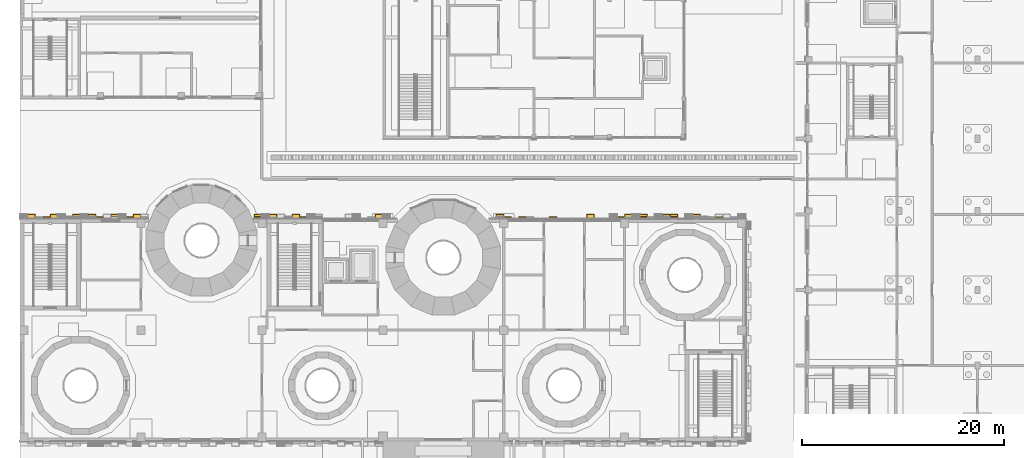
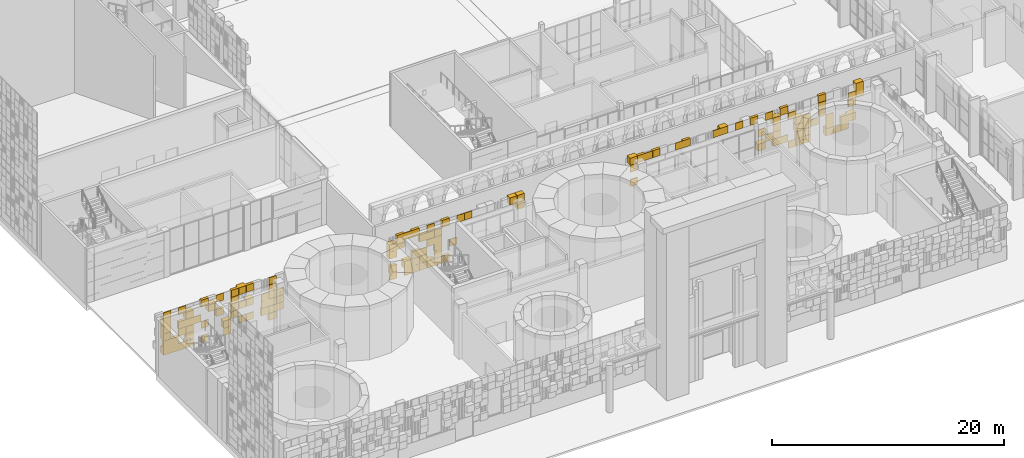
# One storey, part 84 of 125: 2 coverings.
"""IFC4 building model written with IfcOpenShell, lengths in metres."""

import ifcopenshell
import ifcopenshell.guid

model = None  # the IFC model being written
_history = None  # IfcOwnerHistory: only IFC2X3 demands one
_inside = {}  # id of a spatial element -> (the spatial element, [elements in it])
_under = {}  # id of a project, library or spatial element -> (it, [spatial elements below it])
_declared = {}  # id of a project -> (the project, [libraries it declares])
_typed = {}  # id of a type object -> (the type object, [elements of that type])
_made_of = {}  # id of a material, layer set ... -> (it, [elements and type objects made of it])


def new_model(schema):
    """Start an empty IFC model of exactly this schema.

    Asked for "IFC4X3", IfcOpenShell would pick the latest addendum, in which some entities
    have other attributes; the version numbers below select the first issue.
    IFC2X3 requires an IfcOwnerHistory on every rooted entity: one is made here for all.
    """
    global model, _history
    if schema == "IFC4X3":
        model = ifcopenshell.file(schema_version=(4, 3, 0, 0))
    else:
        model = ifcopenshell.file(schema=schema)
    _inside.clear()
    _under.clear()
    _declared.clear()
    _typed.clear()
    _made_of.clear()
    _history = None
    if model.schema == "IFC2X3":
        org = make("IfcOrganization", Name="unknown")
        user = make(
            "IfcPersonAndOrganization",
            ThePerson=make("IfcPerson", FamilyName="unknown"),
            TheOrganization=org,
        )
        app = make(
            "IfcApplication",
            ApplicationDeveloper=org,
            Version="unknown",
            ApplicationFullName="unknown",
            ApplicationIdentifier="unknown",
        )
        _history = make(
            "IfcOwnerHistory",
            OwningUser=user,
            OwningApplication=app,
            ChangeAction="ADDED",
            CreationDate=0,
        )
    return model


def make(cls, **values):
    """One entity of the class cls with the attributes given. An attribute that is None is left unset."""
    return model.create_entity(
        cls, **{name: value for name, value in values.items() if value is not None}
    )


def rooted(cls, **values):
    """An entity with a GlobalId (a new one), such as an element, a storey or a relation."""
    return make(cls, GlobalId=ifcopenshell.guid.new(), OwnerHistory=_history, **values)


def si_unit(unit_type, name, prefix=None):
    """IfcSIUnit, for example si_unit("LENGTHUNIT", "METRE", prefix="MILLI")."""
    return make("IfcSIUnit", UnitType=unit_type, Prefix=prefix, Name=name)


def assignment(units):
    """IfcUnitAssignment: the units of a project."""
    return None if units is None else make("IfcUnitAssignment", Units=units)


def point(xyz):
    """IfcCartesianPoint."""
    return None if xyz is None else make("IfcCartesianPoint", Coordinates=xyz)


def direction(xyz):
    """IfcDirection."""
    return None if xyz is None else make("IfcDirection", DirectionRatios=xyz)


def frame(location, z_axis=None, x_axis=None):
    """IfcAxis2Placement3D, a coordinate frame: its origin and axes. An axis left out is left unset."""
    return make(
        "IfcAxis2Placement3D",
        Location=point(location),
        Axis=direction(z_axis),
        RefDirection=direction(x_axis),
    )


def frame_2d(location, x_axis=None):
    """IfcAxis2Placement2D, a coordinate frame in the plane: its origin and x axis."""
    return make(
        "IfcAxis2Placement2D", Location=point(location), RefDirection=direction(x_axis)
    )


def origin():
    """The frame at (0, 0, 0) with its axes left unset."""
    return frame((0.0, 0.0, 0.0))


def origin_2d():
    """The frame at (0, 0) in the plane with its x axis left unset."""
    return frame_2d((0.0, 0.0))


def place(relative_to, where):
    """IfcLocalPlacement: puts the frame where relative to a parent placement (None: the world)."""
    return make(
        "IfcLocalPlacement", PlacementRelTo=relative_to, RelativePlacement=where
    )


def context(
    kind, dimensions, precision=None, world=None, true_north=None, identifier=None
):
    """IfcGeometricRepresentationContext, for example the 3D "Model" context."""
    return make(
        "IfcGeometricRepresentationContext",
        ContextIdentifier=identifier,
        ContextType=kind,
        CoordinateSpaceDimension=dimensions,
        Precision=precision,
        WorldCoordinateSystem=world,
        TrueNorth=true_north,
    )


def subcontext(parent, identifier, kind, view, scale=None):
    """IfcGeometricRepresentationSubContext, for example "Body" below "Model"."""
    return make(
        "IfcGeometricRepresentationSubContext",
        ContextIdentifier=identifier,
        ContextType=kind,
        ParentContext=parent,
        TargetScale=scale,
        TargetView=view,
    )


def project(units=None, contexts=None):
    """IfcProject with its units and contexts."""
    return rooted(
        "IfcProject",
        Name="project",
        RepresentationContexts=contexts,
        UnitsInContext=assignment(units),
    )


def spatial(cls, under=None, at=None, **own):
    """A site, building, storey or space (cls), placed at a placement, below another one or the project."""
    s = rooted(cls, ObjectPlacement=at, **own)
    if under is not None:
        _under.setdefault(under.id(), (under, []))[1].append(s)
    return s


def profile(cls, at=None, kind="AREA", **sizes):
    """A parametric profile (cls). Its sizes go by their IFC names, for example OverallWidth=200.0."""
    return make(cls, ProfileType=kind, Position=at, **sizes)


def rectangle(**sizes):
    """IfcRectangleProfileDef."""
    return profile("IfcRectangleProfileDef", **sizes)


def extrude(swept, where, along, depth):
    """IfcExtrudedAreaSolid: the profile swept, set in the frame where, extruded along a direction by depth."""
    return make(
        "IfcExtrudedAreaSolid",
        SweptArea=swept,
        Position=where,
        ExtrudedDirection=direction(along),
        Depth=depth,
    )


def shape(context_of_items, identifier, shape_type, items):
    """IfcShapeRepresentation: the items that make up one representation, for example the "Body"."""
    return make(
        "IfcShapeRepresentation",
        ContextOfItems=context_of_items,
        RepresentationIdentifier=identifier,
        RepresentationType=shape_type,
        Items=items,
    )


def material(Name=None, Category=None):
    """IfcMaterial."""
    return make("IfcMaterial", Name=Name, Category=Category)


def layer(
    of_material, thickness, ventilated=None, Name=None, Category=None, Priority=None
):
    """IfcMaterialLayer: one layer of a wall or slab, of a material (None: an air gap)."""
    return make(
        "IfcMaterialLayer",
        Material=of_material,
        LayerThickness=thickness,
        IsVentilated=ventilated,
        Name=Name,
        Category=Category,
        Priority=Priority,
    )


def layer_set(layers, Name=None):
    """IfcMaterialLayerSet."""
    return make("IfcMaterialLayerSet", MaterialLayers=layers, LayerSetName=Name)


def made_of(thing, what):
    """Note that an element or type object is made of a material, layer set ...; save() writes the relation."""
    if what is not None:
        _made_of.setdefault(what.id(), (what, []))[1].append(thing)
    return thing


def type_object(cls, material=None, **own):
    """A type object (cls), such as IfcWallType, which elements share."""
    return made_of(rooted(cls, **own), material)


def element(
    cls,
    number,
    at=None,
    inside=None,
    cuts=None,
    type_object=None,
    material=None,
    context=None,
    identifier="Body",
    shape_type=None,
    held_by="IfcProductDefinitionShape",
    body=None,
    shapes=None,
    **own,
):
    """One element of the class cls, such as IfcWall. Its Tag is "e" and its number.

    at: its placement. inside: the storey or other place that contains it. cuts: it is an
    opening in that element (IfcRelVoidsElement). A single representation is given by context,
    identifier, shape_type and body (its items); several are given by shapes. held_by: the class
    of the entity that holds the representations. save() writes the other relations.
    """
    e = rooted(cls, Tag="e%d" % number, ObjectPlacement=at, **own)
    if body is not None:
        shapes = [shape(context, identifier, shape_type, body)]
    if shapes is not None:
        e.Representation = make(held_by, Representations=shapes)
    if inside is not None:
        _inside.setdefault(inside.id(), (inside, []))[1].append(e)
    if cuts is not None:
        rooted(
            "IfcRelVoidsElement", RelatingBuildingElement=cuts, RelatedOpeningElement=e
        )
    if type_object is not None:
        _typed.setdefault(type_object.id(), (type_object, []))[1].append(e)
    return made_of(e, material)


def aggregate(whole, parts):
    """IfcRelAggregates: a whole, such as a stair, and the parts it consists of."""
    return rooted("IfcRelAggregates", RelatingObject=whole, RelatedObjects=parts)


def save(model, path):
    """Write the relations noted so far, then the file.

    IfcRelAggregates (storeys below a building ...), IfcRelContainedInSpatialStructure (elements
    in a storey), IfcRelDefinesByType, IfcRelAssociatesMaterial and IfcRelDeclares: one each for
    every whole, place, type object, material and project.
    """
    for whole, parts in _under.values():
        aggregate(whole, parts)
    for where, things in _inside.values():
        rooted(
            "IfcRelContainedInSpatialStructure",
            RelatedElements=things,
            RelatingStructure=where,
        )
    for kind, things in _typed.values():
        rooted("IfcRelDefinesByType", RelatedObjects=things, RelatingType=kind)
    for what, things in _made_of.values():
        rooted("IfcRelAssociatesMaterial", RelatedObjects=things, RelatingMaterial=what)
    for by, libraries in _declared.values():
        rooted("IfcRelDeclares", RelatingContext=by, RelatedDefinitions=libraries)
    model.write(path)


model = new_model("IFC4")

# Units and contexts
model_context = context("Model", 3, precision=1e-05, world=origin(), true_north=direction((0.0, 1.0)))
body_context = subcontext(model_context, "Body", "Model", "MODEL_VIEW")
ifc_project = project(units=[si_unit("LENGTHUNIT", "METRE"), si_unit("AREAUNIT", "SQUARE_METRE"), si_unit("VOLUMEUNIT", "CUBIC_METRE"), si_unit("PLANEANGLEUNIT", "RADIAN"), si_unit("MASSUNIT", "GRAM", prefix="KILO")], contexts=[model_context])

# Site, building, storey
site_placement = place(None, origin())
site = spatial("IfcSite", under=ifc_project, at=site_placement, CompositionType="ELEMENT")
building_placement = place(site_placement, origin())
building = spatial("IfcBuilding", under=site, at=building_placement, Name="Sun Court Science Centre", CompositionType="ELEMENT")
storey_placement = place(building_placement, origin())
storey = spatial("IfcBuildingStorey", under=building, at=storey_placement, Name="L00", CompositionType="ELEMENT", Elevation=0.0)

# Coverings
ifc_material_1 = material(Name="Terracotta shade 1", Category="masonry")
ifc_layer_1 = layer(ifc_material_1, 0.06005859375)
ifc_layer_set_1 = layer_set([ifc_layer_1], Name="Terracotta shade 1")
covering_type_1 = type_object("IfcCoveringType", Name="Terracotta pixel panel shade 1", PredefinedType="CLADDING", material=ifc_layer_set_1)
covering_1_placement = place(storey_placement, origin())
element("IfcCovering", 1, at=covering_1_placement, inside=storey, type_object=covering_type_1, Name="Terracotta pixel cladding shade 1 north face L00", PredefinedType="CLADDING", context=body_context, shape_type="SweptSolid", body=[
    extrude(rectangle(XDim=0.739990234375, YDim=0.260009765625, at=origin_2d()), frame((1.875, 28.1298828125, 1.5048828125), z_axis=(0.0, 0.0, 1.0), x_axis=(1.0, 0.0, 0.0)), (0.0, 0.0, 1.0), 0.739990234375),
    extrude(rectangle(XDim=0.739990234375, YDim=0.06005859375, at=origin_2d()), frame((2.625, 28.030029296875, 1.5048828125), z_axis=(0.0, 0.0, 1.0), x_axis=(1.0, 0.0, 0.0)), (0.0, 0.0, 1.0), 0.739990234375),
    extrude(rectangle(XDim=0.739990234375, YDim=0.06005859375, at=origin_2d()), frame((7.125, 28.030029296875, 1.5048828125), z_axis=(0.0, 0.0, 1.0), x_axis=(1.0, 0.0, 0.0)), (0.0, 0.0, 1.0), 0.739990234375),
    extrude(rectangle(XDim=0.739990234375, YDim=0.260009765625, at=origin_2d()), frame((11.625, 28.1298828125, 1.5048828125), z_axis=(0.0, 0.0, 1.0), x_axis=(1.0, 0.0, 0.0)), (0.0, 0.0, 1.0), 0.739990234375),
    extrude(rectangle(XDim=0.739990234375, YDim=0.06005859375, at=origin_2d()), frame((25.125, 28.030029296875, 1.5048828125), z_axis=(0.0, 0.0, 1.0), x_axis=(1.0, 0.0, 0.0)), (0.0, 0.0, 1.0), 0.739990234375),
    extrude(rectangle(XDim=0.739990234375, YDim=0.260009765625, at=origin_2d()), frame((26.625, 28.1298828125, 1.5048828125), z_axis=(0.0, 0.0, 1.0), x_axis=(1.0, 0.0, 0.0)), (0.0, 0.0, 1.0), 0.739990234375),
    extrude(rectangle(XDim=0.739990234375, YDim=0.510009765625, at=origin_2d()), frame((67.125, 28.2548828125, 1.5048828125), z_axis=(0.0, 0.0, 1.0), x_axis=(1.0, 0.0, 0.0)), (0.0, 0.0, 1.0), 0.739990234375),
    extrude(rectangle(XDim=0.739990234375, YDim=0.06005859375, at=origin_2d()), frame((68.625, 28.030029296875, 1.5048828125), z_axis=(0.0, 0.0, 1.0), x_axis=(1.0, 0.0, 0.0)), (0.0, 0.0, 1.0), 0.739990234375),
    extrude(rectangle(XDim=0.739990234375, YDim=0.260009765625, at=origin_2d()), frame((1.875, 28.1298828125, 2.2548828125), z_axis=(0.0, 0.0, 1.0), x_axis=(1.0, 0.0, 0.0)), (0.0, 0.0, 1.0), 0.739990234375),
    extrude(rectangle(XDim=0.739990234375, YDim=0.260009765625, at=origin_2d()), frame((3.375, 28.1298828125, 2.2548828125), z_axis=(0.0, 0.0, 1.0), x_axis=(1.0, 0.0, 0.0)), (0.0, 0.0, 1.0), 0.739990234375),
    extrude(rectangle(XDim=0.739990234375, YDim=0.510009765625, at=origin_2d()), frame((7.125, 28.2548828125, 2.2548828125), z_axis=(0.0, 0.0, 1.0), x_axis=(1.0, 0.0, 0.0)), (0.0, 0.0, 1.0), 0.739990234375),
    extrude(rectangle(XDim=0.739990234375, YDim=0.260009765625, at=origin_2d()), frame((10.875, 28.1298828125, 2.2548828125), z_axis=(0.0, 0.0, 1.0), x_axis=(1.0, 0.0, 0.0)), (0.0, 0.0, 1.0), 0.739990234375),
    extrude(rectangle(XDim=0.739990234375, YDim=0.510009765625, at=origin_2d()), frame((25.125, 28.2548828125, 2.2548828125), z_axis=(0.0, 0.0, 1.0), x_axis=(1.0, 0.0, 0.0)), (0.0, 0.0, 1.0), 0.739990234375),
    extrude(rectangle(XDim=0.739990234375, YDim=0.06005859375, at=origin_2d()), frame((26.625, 28.030029296875, 2.2548828125), z_axis=(0.0, 0.0, 1.0), x_axis=(1.0, 0.0, 0.0)), (0.0, 0.0, 1.0), 0.739990234375),
    extrude(rectangle(XDim=0.739990234375, YDim=0.510009765625, at=origin_2d()), frame((60.375, 28.2548828125, 2.2548828125), z_axis=(0.0, 0.0, 1.0), x_axis=(1.0, 0.0, 0.0)), (0.0, 0.0, 1.0), 0.739990234375),
    extrude(rectangle(XDim=0.739990234375, YDim=0.510009765625, at=origin_2d()), frame((64.875, 28.2548828125, 2.2548828125), z_axis=(0.0, 0.0, 1.0), x_axis=(1.0, 0.0, 0.0)), (0.0, 0.0, 1.0), 0.739990234375),
    extrude(rectangle(XDim=0.739990234375, YDim=0.06005859375, at=origin_2d()), frame((67.125, 28.030029296875, 2.2548828125), z_axis=(0.0, 0.0, 1.0), x_axis=(1.0, 0.0, 0.0)), (0.0, 0.0, 1.0), 0.739990234375),
    extrude(rectangle(XDim=0.739990234375, YDim=0.260009765625, at=origin_2d()), frame((68.625, 28.1298828125, 2.2548828125), z_axis=(0.0, 0.0, 1.0), x_axis=(1.0, 0.0, 0.0)), (0.0, 0.0, 1.0), 0.739990234375),
    extrude(rectangle(XDim=0.739990234375, YDim=0.510009765625, at=origin_2d()), frame((69.375, 28.2548828125, 2.2548828125), z_axis=(0.0, 0.0, 1.0), x_axis=(1.0, 0.0, 0.0)), (0.0, 0.0, 1.0), 0.739990234375),
    extrude(rectangle(XDim=0.739990234375, YDim=0.06005859375, at=origin_2d()), frame((3.375, 28.030029296875, 3.0048828125), z_axis=(0.0, 0.0, 1.0), x_axis=(1.0, 0.0, 0.0)), (0.0, 0.0, 1.0), 0.739990234375),
    extrude(rectangle(XDim=0.739990234375, YDim=0.06005859375, at=origin_2d()), frame((4.875, 28.030029296875, 3.0048828125), z_axis=(0.0, 0.0, 1.0), x_axis=(1.0, 0.0, 0.0)), (0.0, 0.0, 1.0), 0.739990234375),
    extrude(rectangle(XDim=0.739990234375, YDim=0.260009765625, at=origin_2d()), frame((7.875, 28.1298828125, 3.0048828125), z_axis=(0.0, 0.0, 1.0), x_axis=(1.0, 0.0, 0.0)), (0.0, 0.0, 1.0), 0.739990234375),
    extrude(rectangle(XDim=0.739990234375, YDim=0.06005859375, at=origin_2d()), frame((10.875, 28.030029296875, 3.0048828125), z_axis=(0.0, 0.0, 1.0), x_axis=(1.0, 0.0, 0.0)), (0.0, 0.0, 1.0), 0.739990234375),
    extrude(rectangle(XDim=0.739990234375, YDim=0.510009765625, at=origin_2d()), frame((11.625, 28.2548828125, 3.0048828125), z_axis=(0.0, 0.0, 1.0), x_axis=(1.0, 0.0, 0.0)), (0.0, 0.0, 1.0), 0.739990234375),
    extrude(rectangle(XDim=0.739990234375, YDim=0.06005859375, at=origin_2d()), frame((47.625, 28.030029296875, 3.0048828125), z_axis=(0.0, 0.0, 1.0), x_axis=(1.0, 0.0, 0.0)), (0.0, 0.0, 1.0), 0.739990234375),
    extrude(rectangle(XDim=0.739990234375, YDim=0.06005859375, at=origin_2d()), frame((61.875, 28.030029296875, 3.0048828125), z_axis=(0.0, 0.0, 1.0), x_axis=(1.0, 0.0, 0.0)), (0.0, 0.0, 1.0), 0.739990234375),
    extrude(rectangle(XDim=0.739990234375, YDim=0.510009765625, at=origin_2d()), frame((64.125, 28.2548828125, 3.0048828125), z_axis=(0.0, 0.0, 1.0), x_axis=(1.0, 0.0, 0.0)), (0.0, 0.0, 1.0), 0.739990234375),
    extrude(rectangle(XDim=0.739990234375, YDim=0.510009765625, at=origin_2d()), frame((64.875, 28.2548828125, 3.0048828125), z_axis=(0.0, 0.0, 1.0), x_axis=(1.0, 0.0, 0.0)), (0.0, 0.0, 1.0), 0.739990234375),
    extrude(rectangle(XDim=0.739990234375, YDim=0.06005859375, at=origin_2d()), frame((65.625, 28.030029296875, 3.0048828125), z_axis=(0.0, 0.0, 1.0), x_axis=(1.0, 0.0, 0.0)), (0.0, 0.0, 1.0), 0.739990234375),
    extrude(rectangle(XDim=0.739990234375, YDim=0.06005859375, at=origin_2d()), frame((67.125, 28.030029296875, 3.0048828125), z_axis=(0.0, 0.0, 1.0), x_axis=(1.0, 0.0, 0.0)), (0.0, 0.0, 1.0), 0.739990234375),
    extrude(rectangle(XDim=0.739990234375, YDim=0.260009765625, at=origin_2d()), frame((6.375, 28.1298828125, 3.7548828125), z_axis=(0.0, 0.0, 1.0), x_axis=(1.0, 0.0, 0.0)), (0.0, 0.0, 1.0), 0.739990234375),
    extrude(rectangle(XDim=0.739990234375, YDim=0.510009765625, at=origin_2d()), frame((9.375, 28.2548828125, 3.7548828125), z_axis=(0.0, 0.0, 1.0), x_axis=(1.0, 0.0, 0.0)), (0.0, 0.0, 1.0), 0.739990234375),
    extrude(rectangle(XDim=0.739990234375, YDim=0.06005859375, at=origin_2d()), frame((10.875, 28.030029296875, 3.7548828125), z_axis=(0.0, 0.0, 1.0), x_axis=(1.0, 0.0, 0.0)), (0.0, 0.0, 1.0), 0.739990234375),
    extrude(rectangle(XDim=0.739990234375, YDim=0.06005859375, at=origin_2d()), frame((12.375, 28.030029296875, 3.7548828125), z_axis=(0.0, 0.0, 1.0), x_axis=(1.0, 0.0, 0.0)), (0.0, 0.0, 1.0), 0.739990234375),
    extrude(rectangle(XDim=0.739990234375, YDim=0.510009765625, at=origin_2d()), frame((23.625, 28.2548828125, 3.7548828125), z_axis=(0.0, 0.0, 1.0), x_axis=(1.0, 0.0, 0.0)), (0.0, 0.0, 1.0), 0.739990234375),
    extrude(rectangle(XDim=0.739990234375, YDim=0.06005859375, at=origin_2d()), frame((60.375, 28.030029296875, 3.7548828125), z_axis=(0.0, 0.0, 1.0), x_axis=(1.0, 0.0, 0.0)), (0.0, 0.0, 1.0), 0.739990234375),
    extrude(rectangle(XDim=0.739990234375, YDim=0.06005859375, at=origin_2d()), frame((61.875, 28.030029296875, 3.7548828125), z_axis=(0.0, 0.0, 1.0), x_axis=(1.0, 0.0, 0.0)), (0.0, 0.0, 1.0), 0.739990234375),
    extrude(rectangle(XDim=0.739990234375, YDim=0.06005859375, at=origin_2d()), frame((64.875, 28.030029296875, 3.7548828125), z_axis=(0.0, 0.0, 1.0), x_axis=(1.0, 0.0, 0.0)), (0.0, 0.0, 1.0), 0.739990234375),
    extrude(rectangle(XDim=0.739990234375, YDim=0.510009765625, at=origin_2d()), frame((3.375, 28.2548828125, 4.5048828125), z_axis=(0.0, 0.0, 1.0), x_axis=(1.0, 0.0, 0.0)), (0.0, 0.0, 1.0), 0.739990234375),
    extrude(rectangle(XDim=0.739990234375, YDim=0.510009765625, at=origin_2d()), frame((23.625, 28.2548828125, 4.5048828125), z_axis=(0.0, 0.0, 1.0), x_axis=(1.0, 0.0, 0.0)), (0.0, 0.0, 1.0), 0.739990234375),
    extrude(rectangle(XDim=0.739990234375, YDim=0.06005859375, at=origin_2d()), frame((24.375, 28.030029296875, 4.5048828125), z_axis=(0.0, 0.0, 1.0), x_axis=(1.0, 0.0, 0.0)), (0.0, 0.0, 1.0), 0.739990234375),
    extrude(rectangle(XDim=0.739990234375, YDim=0.260009765625, at=origin_2d()), frame((26.625, 28.1298828125, 4.5048828125), z_axis=(0.0, 0.0, 1.0), x_axis=(1.0, 0.0, 0.0)), (0.0, 0.0, 1.0), 0.739990234375),
    extrude(rectangle(XDim=0.739990234375, YDim=0.06005859375, at=origin_2d()), frame((27.375, 28.030029296875, 4.5048828125), z_axis=(0.0, 0.0, 1.0), x_axis=(1.0, 0.0, 0.0)), (0.0, 0.0, 1.0), 0.739990234375),
    extrude(rectangle(XDim=0.739990234375, YDim=0.06005859375, at=origin_2d()), frame((47.625, 28.030029296875, 4.5048828125), z_axis=(0.0, 0.0, 1.0), x_axis=(1.0, 0.0, 0.0)), (0.0, 0.0, 1.0), 0.739990234375),
    extrude(rectangle(XDim=0.739990234375, YDim=0.510009765625, at=origin_2d()), frame((61.875, 28.2548828125, 4.5048828125), z_axis=(0.0, 0.0, 1.0), x_axis=(1.0, 0.0, 0.0)), (0.0, 0.0, 1.0), 0.739990234375),
    extrude(rectangle(XDim=0.739990234375, YDim=0.260009765625, at=origin_2d()), frame((63.375, 28.1298828125, 4.5048828125), z_axis=(0.0, 0.0, 1.0), x_axis=(1.0, 0.0, 0.0)), (0.0, 0.0, 1.0), 0.739990234375),
    extrude(rectangle(XDim=0.739990234375, YDim=0.06005859375, at=origin_2d()), frame((66.375, 28.030029296875, 4.5048828125), z_axis=(0.0, 0.0, 1.0), x_axis=(1.0, 0.0, 0.0)), (0.0, 0.0, 1.0), 0.739990234375),
    extrude(rectangle(XDim=0.739990234375, YDim=0.06005859375, at=origin_2d()), frame((1.125, 28.030029296875, 5.2548828125), z_axis=(0.0, 0.0, 1.0), x_axis=(1.0, 0.0, 0.0)), (0.0, 0.0, 1.0), 0.739990234375),
    extrude(rectangle(XDim=0.739990234375, YDim=0.06005859375, at=origin_2d()), frame((6.375, 28.030029296875, 5.2548828125), z_axis=(0.0, 0.0, 1.0), x_axis=(1.0, 0.0, 0.0)), (0.0, 0.0, 1.0), 0.739990234375),
    extrude(rectangle(XDim=0.739990234375, YDim=0.260009765625, at=origin_2d()), frame((7.875, 28.1298828125, 5.2548828125), z_axis=(0.0, 0.0, 1.0), x_axis=(1.0, 0.0, 0.0)), (0.0, 0.0, 1.0), 0.739990234375),
    extrude(rectangle(XDim=0.739990234375, YDim=0.510009765625, at=origin_2d()), frame((8.625, 28.2548828125, 5.2548828125), z_axis=(0.0, 0.0, 1.0), x_axis=(1.0, 0.0, 0.0)), (0.0, 0.0, 1.0), 0.739990234375),
    extrude(rectangle(XDim=0.739990234375, YDim=0.260009765625, at=origin_2d()), frame((9.375, 28.1298828125, 5.2548828125), z_axis=(0.0, 0.0, 1.0), x_axis=(1.0, 0.0, 0.0)), (0.0, 0.0, 1.0), 0.739990234375),
    extrude(rectangle(XDim=0.739990234375, YDim=0.06005859375, at=origin_2d()), frame((11.625, 28.030029296875, 5.2548828125), z_axis=(0.0, 0.0, 1.0), x_axis=(1.0, 0.0, 0.0)), (0.0, 0.0, 1.0), 0.739990234375),
    extrude(rectangle(XDim=0.739990234375, YDim=0.260009765625, at=origin_2d()), frame((24.375, 28.1298828125, 5.2548828125), z_axis=(0.0, 0.0, 1.0), x_axis=(1.0, 0.0, 0.0)), (0.0, 0.0, 1.0), 0.739990234375),
    extrude(rectangle(XDim=0.739990234375, YDim=0.06005859375, at=origin_2d()), frame((25.125, 28.030029296875, 5.2548828125), z_axis=(0.0, 0.0, 1.0), x_axis=(1.0, 0.0, 0.0)), (0.0, 0.0, 1.0), 0.739990234375),
    extrude(rectangle(XDim=0.739990234375, YDim=0.260009765625, at=origin_2d()), frame((25.875, 28.1298828125, 5.2548828125), z_axis=(0.0, 0.0, 1.0), x_axis=(1.0, 0.0, 0.0)), (0.0, 0.0, 1.0), 0.739990234375),
    extrude(rectangle(XDim=0.739990234375, YDim=0.06005859375, at=origin_2d()), frame((30.375, 28.030029296875, 5.2548828125), z_axis=(0.0, 0.0, 1.0), x_axis=(1.0, 0.0, 0.0)), (0.0, 0.0, 1.0), 0.739990234375),
    extrude(rectangle(XDim=0.739990234375, YDim=0.510009765625, at=origin_2d()), frame((36.375, 28.2548828125, 5.2548828125), z_axis=(0.0, 0.0, 1.0), x_axis=(1.0, 0.0, 0.0)), (0.0, 0.0, 1.0), 0.739990234375),
    extrude(rectangle(XDim=0.739990234375, YDim=0.260009765625, at=origin_2d()), frame((48.375, 28.1298828125, 5.2548828125), z_axis=(0.0, 0.0, 1.0), x_axis=(1.0, 0.0, 0.0)), (0.0, 0.0, 1.0), 0.739990234375),
    extrude(rectangle(XDim=0.739990234375, YDim=0.06005859375, at=origin_2d()), frame((49.125, 28.030029296875, 5.2548828125), z_axis=(0.0, 0.0, 1.0), x_axis=(1.0, 0.0, 0.0)), (0.0, 0.0, 1.0), 0.739990234375),
    extrude(rectangle(XDim=0.739990234375, YDim=0.260009765625, at=origin_2d()), frame((49.875, 28.1298828125, 5.2548828125), z_axis=(0.0, 0.0, 1.0), x_axis=(1.0, 0.0, 0.0)), (0.0, 0.0, 1.0), 0.739990234375),
    extrude(rectangle(XDim=0.739990234375, YDim=0.06005859375, at=origin_2d()), frame((52.125, 28.030029296875, 5.2548828125), z_axis=(0.0, 0.0, 1.0), x_axis=(1.0, 0.0, 0.0)), (0.0, 0.0, 1.0), 0.739990234375),
    extrude(rectangle(XDim=0.739990234375, YDim=0.260009765625, at=origin_2d()), frame((52.875, 28.1298828125, 5.2548828125), z_axis=(0.0, 0.0, 1.0), x_axis=(1.0, 0.0, 0.0)), (0.0, 0.0, 1.0), 0.739990234375),
    extrude(rectangle(XDim=0.739990234375, YDim=0.06005859375, at=origin_2d()), frame((55.875, 28.030029296875, 5.2548828125), z_axis=(0.0, 0.0, 1.0), x_axis=(1.0, 0.0, 0.0)), (0.0, 0.0, 1.0), 0.739990234375),
    extrude(rectangle(XDim=0.739990234375, YDim=0.510009765625, at=origin_2d()), frame((56.625, 28.2548828125, 5.2548828125), z_axis=(0.0, 0.0, 1.0), x_axis=(1.0, 0.0, 0.0)), (0.0, 0.0, 1.0), 0.739990234375),
    extrude(rectangle(XDim=0.739990234375, YDim=0.06005859375, at=origin_2d()), frame((58.125, 28.030029296875, 5.2548828125), z_axis=(0.0, 0.0, 1.0), x_axis=(1.0, 0.0, 0.0)), (0.0, 0.0, 1.0), 0.739990234375),
    extrude(rectangle(XDim=0.739990234375, YDim=0.06005859375, at=origin_2d()), frame((61.125, 28.030029296875, 5.2548828125), z_axis=(0.0, 0.0, 1.0), x_axis=(1.0, 0.0, 0.0)), (0.0, 0.0, 1.0), 0.739990234375),
    extrude(rectangle(XDim=0.739990234375, YDim=0.260009765625, at=origin_2d()), frame((62.625, 28.1298828125, 5.2548828125), z_axis=(0.0, 0.0, 1.0), x_axis=(1.0, 0.0, 0.0)), (0.0, 0.0, 1.0), 0.739990234375),
    extrude(rectangle(XDim=0.739990234375, YDim=0.510009765625, at=origin_2d()), frame((70.125, 28.2548828125, 5.2548828125), z_axis=(0.0, 0.0, 1.0), x_axis=(1.0, 0.0, 0.0)), (0.0, 0.0, 1.0), 0.739990234375),
    extrude(rectangle(XDim=0.739990234375, YDim=0.260009765625, at=origin_2d()), frame((1.125, 28.1298828125, 2.2548828125), z_axis=(0.0, 0.0, 1.0), x_axis=(1.0, 0.0, 0.0)), (0.0, 0.0, 1.0), 0.739990234375),
    extrude(rectangle(XDim=0.739990234375, YDim=0.260009765625, at=origin_2d()), frame((70.125, 28.1298828125, 4.5048828125), z_axis=(0.0, 0.0, 1.0), x_axis=(1.0, 0.0, 0.0)), (0.0, 0.0, 1.0), 0.739990234375),
    extrude(rectangle(XDim=0.739990234375, YDim=0.510009765625, at=origin_2d()), frame((1.125, 28.2548828125, 1.5048828125), z_axis=(0.0, 0.0, 1.0), x_axis=(1.0, 0.0, 0.0)), (0.0, 0.0, 1.0), 0.739990234375),
    extrude(rectangle(XDim=0.739990234375, YDim=0.510009765625, at=origin_2d()), frame((1.125, 28.2548828125, 3.0048828125), z_axis=(0.0, 0.0, 1.0), x_axis=(1.0, 0.0, 0.0)), (0.0, 0.0, 1.0), 0.739990234375),
    extrude(rectangle(XDim=0.739990234375, YDim=0.510009765625, at=origin_2d()), frame((1.125, 28.2548828125, 4.5048828125), z_axis=(0.0, 0.0, 1.0), x_axis=(1.0, 0.0, 0.0)), (0.0, 0.0, 1.0), 0.739990234375),
    extrude(rectangle(XDim=0.739990234375, YDim=0.510009765625, at=origin_2d()), frame((1.125, 28.2548828125, 3.7548828125), z_axis=(0.0, 0.0, 1.0), x_axis=(1.0, 0.0, 0.0)), (0.0, 0.0, 1.0), 0.739990234375),
])
ifc_material_2 = material(Name="Terracotta shade 2", Category="masonry")
ifc_layer_2 = layer(ifc_material_2, 0.06005859375)
ifc_layer_set_2 = layer_set([ifc_layer_2], Name="Terracotta shade 2")
covering_type_2 = type_object("IfcCoveringType", Name="Terracotta pixel panel shade 2", PredefinedType="CLADDING", material=ifc_layer_set_2)
covering_2_placement = place(storey_placement, origin())
element("IfcCovering", 2, at=covering_2_placement, inside=storey, type_object=covering_type_2, Name="Terracotta pixel cladding shade 2 north face L00", PredefinedType="CLADDING", context=body_context, shape_type="SweptSolid", body=[
    extrude(rectangle(XDim=0.739990234375, YDim=0.510009765625, at=origin_2d()), frame((3.375, 28.2548828125, 1.5048828125), z_axis=(0.0, 0.0, 1.0), x_axis=(1.0, 0.0, 0.0)), (0.0, 0.0, 1.0), 0.739990234375),
    extrude(rectangle(XDim=0.739990234375, YDim=0.06005859375, at=origin_2d()), frame((4.875, 28.030029296875, 1.5048828125), z_axis=(0.0, 0.0, 1.0), x_axis=(1.0, 0.0, 0.0)), (0.0, 0.0, 1.0), 0.739990234375),
    extrude(rectangle(XDim=0.739990234375, YDim=0.06005859375, at=origin_2d()), frame((23.625, 28.030029296875, 1.5048828125), z_axis=(0.0, 0.0, 1.0), x_axis=(1.0, 0.0, 0.0)), (0.0, 0.0, 1.0), 0.739990234375),
    extrude(rectangle(XDim=0.739990234375, YDim=0.06005859375, at=origin_2d()), frame((25.875, 28.030029296875, 1.5048828125), z_axis=(0.0, 0.0, 1.0), x_axis=(1.0, 0.0, 0.0)), (0.0, 0.0, 1.0), 0.739990234375),
    extrude(rectangle(XDim=0.739990234375, YDim=0.510009765625, at=origin_2d()), frame((27.375, 28.2548828125, 1.5048828125), z_axis=(0.0, 0.0, 1.0), x_axis=(1.0, 0.0, 0.0)), (0.0, 0.0, 1.0), 0.739990234375),
    extrude(rectangle(XDim=0.739990234375, YDim=0.06005859375, at=origin_2d()), frame((28.125, 28.030029296875, 1.5048828125), z_axis=(0.0, 0.0, 1.0), x_axis=(1.0, 0.0, 0.0)), (0.0, 0.0, 1.0), 0.739990234375),
    extrude(rectangle(XDim=0.739990234375, YDim=0.260009765625, at=origin_2d()), frame((28.875, 28.1298828125, 1.5048828125), z_axis=(0.0, 0.0, 1.0), x_axis=(1.0, 0.0, 0.0)), (0.0, 0.0, 1.0), 0.739990234375),
    extrude(rectangle(XDim=0.739990234375, YDim=0.06005859375, at=origin_2d()), frame((63.375, 28.030029296875, 1.5048828125), z_axis=(0.0, 0.0, 1.0), x_axis=(1.0, 0.0, 0.0)), (0.0, 0.0, 1.0), 0.739990234375),
    extrude(rectangle(XDim=0.739990234375, YDim=0.260009765625, at=origin_2d()), frame((64.125, 28.1298828125, 1.5048828125), z_axis=(0.0, 0.0, 1.0), x_axis=(1.0, 0.0, 0.0)), (0.0, 0.0, 1.0), 0.739990234375),
    extrude(rectangle(XDim=0.739990234375, YDim=0.260009765625, at=origin_2d()), frame((64.875, 28.1298828125, 1.5048828125), z_axis=(0.0, 0.0, 1.0), x_axis=(1.0, 0.0, 0.0)), (0.0, 0.0, 1.0), 0.739990234375),
    extrude(rectangle(XDim=0.739990234375, YDim=0.06005859375, at=origin_2d()), frame((67.875, 28.030029296875, 1.5048828125), z_axis=(0.0, 0.0, 1.0), x_axis=(1.0, 0.0, 0.0)), (0.0, 0.0, 1.0), 0.739990234375),
    extrude(rectangle(XDim=0.739990234375, YDim=0.06005859375, at=origin_2d()), frame((8.625, 28.030029296875, 2.2548828125), z_axis=(0.0, 0.0, 1.0), x_axis=(1.0, 0.0, 0.0)), (0.0, 0.0, 1.0), 0.739990234375),
    extrude(rectangle(XDim=0.739990234375, YDim=0.06005859375, at=origin_2d()), frame((9.375, 28.030029296875, 2.2548828125), z_axis=(0.0, 0.0, 1.0), x_axis=(1.0, 0.0, 0.0)), (0.0, 0.0, 1.0), 0.739990234375),
    extrude(rectangle(XDim=0.739990234375, YDim=0.06005859375, at=origin_2d()), frame((11.625, 28.030029296875, 2.2548828125), z_axis=(0.0, 0.0, 1.0), x_axis=(1.0, 0.0, 0.0)), (0.0, 0.0, 1.0), 0.739990234375),
    extrude(rectangle(XDim=0.739990234375, YDim=0.06005859375, at=origin_2d()), frame((12.375, 28.030029296875, 2.2548828125), z_axis=(0.0, 0.0, 1.0), x_axis=(1.0, 0.0, 0.0)), (0.0, 0.0, 1.0), 0.739990234375),
    extrude(rectangle(XDim=0.739990234375, YDim=0.260009765625, at=origin_2d()), frame((23.625, 28.1298828125, 2.2548828125), z_axis=(0.0, 0.0, 1.0), x_axis=(1.0, 0.0, 0.0)), (0.0, 0.0, 1.0), 0.739990234375),
    extrude(rectangle(XDim=0.739990234375, YDim=0.260009765625, at=origin_2d()), frame((25.875, 28.1298828125, 2.2548828125), z_axis=(0.0, 0.0, 1.0), x_axis=(1.0, 0.0, 0.0)), (0.0, 0.0, 1.0), 0.739990234375),
    extrude(rectangle(XDim=0.739990234375, YDim=0.06005859375, at=origin_2d()), frame((28.125, 28.030029296875, 2.2548828125), z_axis=(0.0, 0.0, 1.0), x_axis=(1.0, 0.0, 0.0)), (0.0, 0.0, 1.0), 0.739990234375),
    extrude(rectangle(XDim=0.739990234375, YDim=0.260009765625, at=origin_2d()), frame((61.875, 28.1298828125, 2.2548828125), z_axis=(0.0, 0.0, 1.0), x_axis=(1.0, 0.0, 0.0)), (0.0, 0.0, 1.0), 0.739990234375),
    extrude(rectangle(XDim=0.739990234375, YDim=0.06005859375, at=origin_2d()), frame((62.625, 28.030029296875, 2.2548828125), z_axis=(0.0, 0.0, 1.0), x_axis=(1.0, 0.0, 0.0)), (0.0, 0.0, 1.0), 0.739990234375),
    extrude(rectangle(XDim=0.739990234375, YDim=0.260009765625, at=origin_2d()), frame((64.125, 28.1298828125, 2.2548828125), z_axis=(0.0, 0.0, 1.0), x_axis=(1.0, 0.0, 0.0)), (0.0, 0.0, 1.0), 0.739990234375),
    extrude(rectangle(XDim=0.739990234375, YDim=0.260009765625, at=origin_2d()), frame((12.375, 28.1298828125, 3.0048828125), z_axis=(0.0, 0.0, 1.0), x_axis=(1.0, 0.0, 0.0)), (0.0, 0.0, 1.0), 0.739990234375),
    extrude(rectangle(XDim=0.739990234375, YDim=0.260009765625, at=origin_2d()), frame((25.875, 28.1298828125, 3.0048828125), z_axis=(0.0, 0.0, 1.0), x_axis=(1.0, 0.0, 0.0)), (0.0, 0.0, 1.0), 0.739990234375),
    extrude(rectangle(XDim=0.739990234375, YDim=0.06005859375, at=origin_2d()), frame((26.625, 28.030029296875, 3.0048828125), z_axis=(0.0, 0.0, 1.0), x_axis=(1.0, 0.0, 0.0)), (0.0, 0.0, 1.0), 0.739990234375),
    extrude(rectangle(XDim=0.739990234375, YDim=0.260009765625, at=origin_2d()), frame((28.125, 28.1298828125, 3.0048828125), z_axis=(0.0, 0.0, 1.0), x_axis=(1.0, 0.0, 0.0)), (0.0, 0.0, 1.0), 0.739990234375),
    extrude(rectangle(XDim=0.739990234375, YDim=0.06005859375, at=origin_2d()), frame((29.625, 28.030029296875, 3.0048828125), z_axis=(0.0, 0.0, 1.0), x_axis=(1.0, 0.0, 0.0)), (0.0, 0.0, 1.0), 0.739990234375),
    extrude(rectangle(XDim=0.739990234375, YDim=0.06005859375, at=origin_2d()), frame((61.125, 28.030029296875, 3.0048828125), z_axis=(0.0, 0.0, 1.0), x_axis=(1.0, 0.0, 0.0)), (0.0, 0.0, 1.0), 0.739990234375),
    extrude(rectangle(XDim=0.739990234375, YDim=0.260009765625, at=origin_2d()), frame((2.625, 28.1298828125, 3.7548828125), z_axis=(0.0, 0.0, 1.0), x_axis=(1.0, 0.0, 0.0)), (0.0, 0.0, 1.0), 0.739990234375),
    extrude(rectangle(XDim=0.739990234375, YDim=0.06005859375, at=origin_2d()), frame((3.375, 28.030029296875, 3.7548828125), z_axis=(0.0, 0.0, 1.0), x_axis=(1.0, 0.0, 0.0)), (0.0, 0.0, 1.0), 0.739990234375),
    extrude(rectangle(XDim=0.739990234375, YDim=0.06005859375, at=origin_2d()), frame((4.125, 28.030029296875, 3.7548828125), z_axis=(0.0, 0.0, 1.0), x_axis=(1.0, 0.0, 0.0)), (0.0, 0.0, 1.0), 0.739990234375),
    extrude(rectangle(XDim=0.739990234375, YDim=0.260009765625, at=origin_2d()), frame((7.875, 28.1298828125, 3.7548828125), z_axis=(0.0, 0.0, 1.0), x_axis=(1.0, 0.0, 0.0)), (0.0, 0.0, 1.0), 0.739990234375),
    extrude(rectangle(XDim=0.739990234375, YDim=0.06005859375, at=origin_2d()), frame((8.625, 28.030029296875, 3.7548828125), z_axis=(0.0, 0.0, 1.0), x_axis=(1.0, 0.0, 0.0)), (0.0, 0.0, 1.0), 0.739990234375),
    extrude(rectangle(XDim=0.739990234375, YDim=0.06005859375, at=origin_2d()), frame((11.625, 28.030029296875, 3.7548828125), z_axis=(0.0, 0.0, 1.0), x_axis=(1.0, 0.0, 0.0)), (0.0, 0.0, 1.0), 0.739990234375),
    extrude(rectangle(XDim=0.739990234375, YDim=0.06005859375, at=origin_2d()), frame((27.375, 28.030029296875, 3.7548828125), z_axis=(0.0, 0.0, 1.0), x_axis=(1.0, 0.0, 0.0)), (0.0, 0.0, 1.0), 0.739990234375),
    extrude(rectangle(XDim=0.739990234375, YDim=0.260009765625, at=origin_2d()), frame((28.125, 28.1298828125, 3.7548828125), z_axis=(0.0, 0.0, 1.0), x_axis=(1.0, 0.0, 0.0)), (0.0, 0.0, 1.0), 0.739990234375),
    extrude(rectangle(XDim=0.739990234375, YDim=0.510009765625, at=origin_2d()), frame((64.125, 28.2548828125, 3.7548828125), z_axis=(0.0, 0.0, 1.0), x_axis=(1.0, 0.0, 0.0)), (0.0, 0.0, 1.0), 0.739990234375),
    extrude(rectangle(XDim=0.739990234375, YDim=0.06005859375, at=origin_2d()), frame((66.375, 28.030029296875, 3.7548828125), z_axis=(0.0, 0.0, 1.0), x_axis=(1.0, 0.0, 0.0)), (0.0, 0.0, 1.0), 0.739990234375),
    extrude(rectangle(XDim=0.739990234375, YDim=0.260009765625, at=origin_2d()), frame((69.375, 28.1298828125, 3.7548828125), z_axis=(0.0, 0.0, 1.0), x_axis=(1.0, 0.0, 0.0)), (0.0, 0.0, 1.0), 0.739990234375),
    extrude(rectangle(XDim=0.739990234375, YDim=0.510009765625, at=origin_2d()), frame((5.625, 28.2548828125, 4.5048828125), z_axis=(0.0, 0.0, 1.0), x_axis=(1.0, 0.0, 0.0)), (0.0, 0.0, 1.0), 0.739990234375),
    extrude(rectangle(XDim=0.739990234375, YDim=0.260009765625, at=origin_2d()), frame((7.875, 28.1298828125, 4.5048828125), z_axis=(0.0, 0.0, 1.0), x_axis=(1.0, 0.0, 0.0)), (0.0, 0.0, 1.0), 0.739990234375),
    extrude(rectangle(XDim=0.739990234375, YDim=0.06005859375, at=origin_2d()), frame((11.625, 28.030029296875, 4.5048828125), z_axis=(0.0, 0.0, 1.0), x_axis=(1.0, 0.0, 0.0)), (0.0, 0.0, 1.0), 0.739990234375),
    extrude(rectangle(XDim=0.739990234375, YDim=0.06005859375, at=origin_2d()), frame((28.125, 28.030029296875, 4.5048828125), z_axis=(0.0, 0.0, 1.0), x_axis=(1.0, 0.0, 0.0)), (0.0, 0.0, 1.0), 0.739990234375),
    extrude(rectangle(XDim=0.739990234375, YDim=0.510009765625, at=origin_2d()), frame((36.375, 28.2548828125, 4.5048828125), z_axis=(0.0, 0.0, 1.0), x_axis=(1.0, 0.0, 0.0)), (0.0, 0.0, 1.0), 0.739990234375),
    extrude(rectangle(XDim=0.739990234375, YDim=0.06005859375, at=origin_2d()), frame((69.375, 28.030029296875, 4.5048828125), z_axis=(0.0, 0.0, 1.0), x_axis=(1.0, 0.0, 0.0)), (0.0, 0.0, 1.0), 0.739990234375),
    extrude(rectangle(XDim=0.739990234375, YDim=0.260009765625, at=origin_2d()), frame((4.875, 28.1298828125, 5.2548828125), z_axis=(0.0, 0.0, 1.0), x_axis=(1.0, 0.0, 0.0)), (0.0, 0.0, 1.0), 0.739990234375),
    extrude(rectangle(XDim=0.739990234375, YDim=0.06005859375, at=origin_2d()), frame((27.375, 28.030029296875, 5.2548828125), z_axis=(0.0, 0.0, 1.0), x_axis=(1.0, 0.0, 0.0)), (0.0, 0.0, 1.0), 0.739990234375),
    extrude(rectangle(XDim=0.739990234375, YDim=0.260009765625, at=origin_2d()), frame((28.875, 28.1298828125, 5.2548828125), z_axis=(0.0, 0.0, 1.0), x_axis=(1.0, 0.0, 0.0)), (0.0, 0.0, 1.0), 0.739990234375),
    extrude(rectangle(XDim=0.739990234375, YDim=0.06005859375, at=origin_2d()), frame((31.125, 28.030029296875, 5.2548828125), z_axis=(0.0, 0.0, 1.0), x_axis=(1.0, 0.0, 0.0)), (0.0, 0.0, 1.0), 0.739990234375),
    extrude(rectangle(XDim=0.739990234375, YDim=0.510009765625, at=origin_2d()), frame((35.625, 28.2548828125, 5.2548828125), z_axis=(0.0, 0.0, 1.0), x_axis=(1.0, 0.0, 0.0)), (0.0, 0.0, 1.0), 0.739990234375),
    extrude(rectangle(XDim=0.739990234375, YDim=0.510009765625, at=origin_2d()), frame((47.625, 28.2548828125, 5.2548828125), z_axis=(0.0, 0.0, 1.0), x_axis=(1.0, 0.0, 0.0)), (0.0, 0.0, 1.0), 0.739990234375),
    extrude(rectangle(XDim=0.739990234375, YDim=0.260009765625, at=origin_2d()), frame((59.625, 28.1298828125, 5.2548828125), z_axis=(0.0, 0.0, 1.0), x_axis=(1.0, 0.0, 0.0)), (0.0, 0.0, 1.0), 0.739990234375),
    extrude(rectangle(XDim=0.739990234375, YDim=0.260009765625, at=origin_2d()), frame((66.375, 28.1298828125, 5.2548828125), z_axis=(0.0, 0.0, 1.0), x_axis=(1.0, 0.0, 0.0)), (0.0, 0.0, 1.0), 0.739990234375),
    extrude(rectangle(XDim=0.739990234375, YDim=0.06005859375, at=origin_2d()), frame((2.625, 28.030029296875, 3.0048828125), z_axis=(0.0, 0.0, 1.0), x_axis=(1.0, 0.0, 0.0)), (0.0, 0.0, 1.0), 0.739990234375),
    extrude(rectangle(XDim=0.739990234375, YDim=0.06005859375, at=origin_2d()), frame((2.625, 28.030029296875, 5.2548828125), z_axis=(0.0, 0.0, 1.0), x_axis=(1.0, 0.0, 0.0)), (0.0, 0.0, 1.0), 0.739990234375),
])

save(model, "model.ifc")
